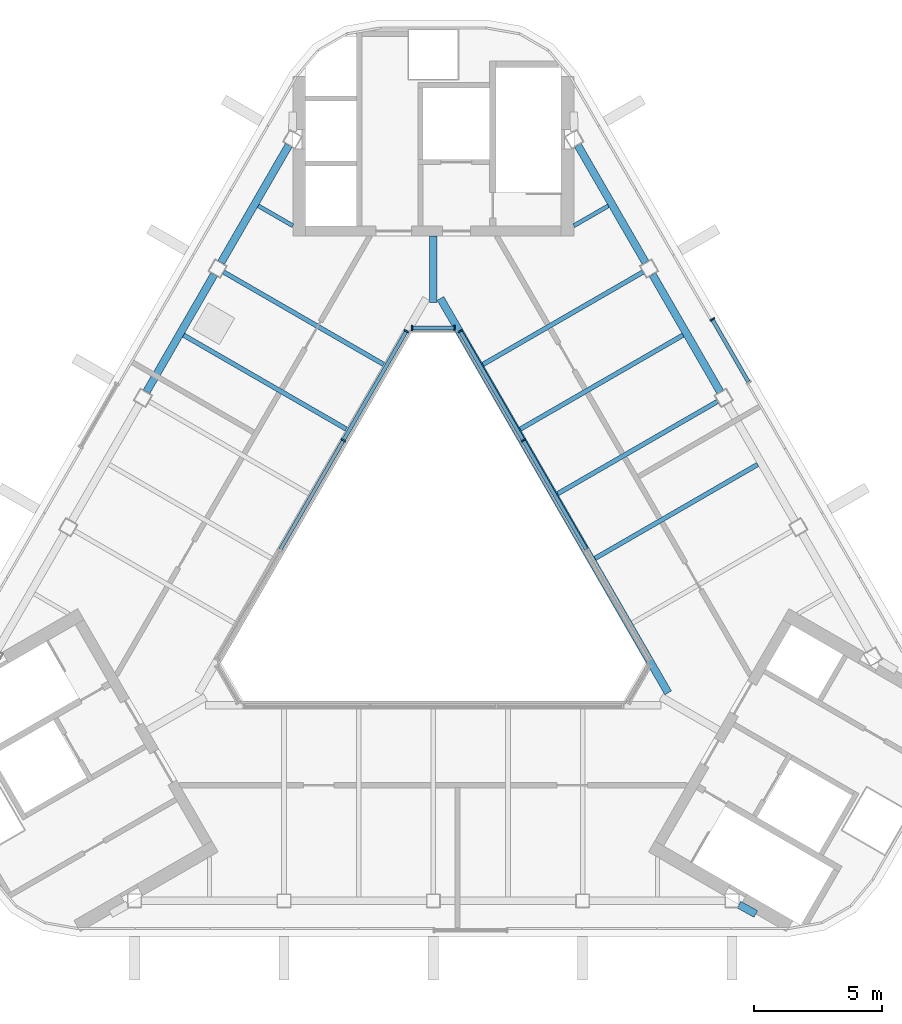
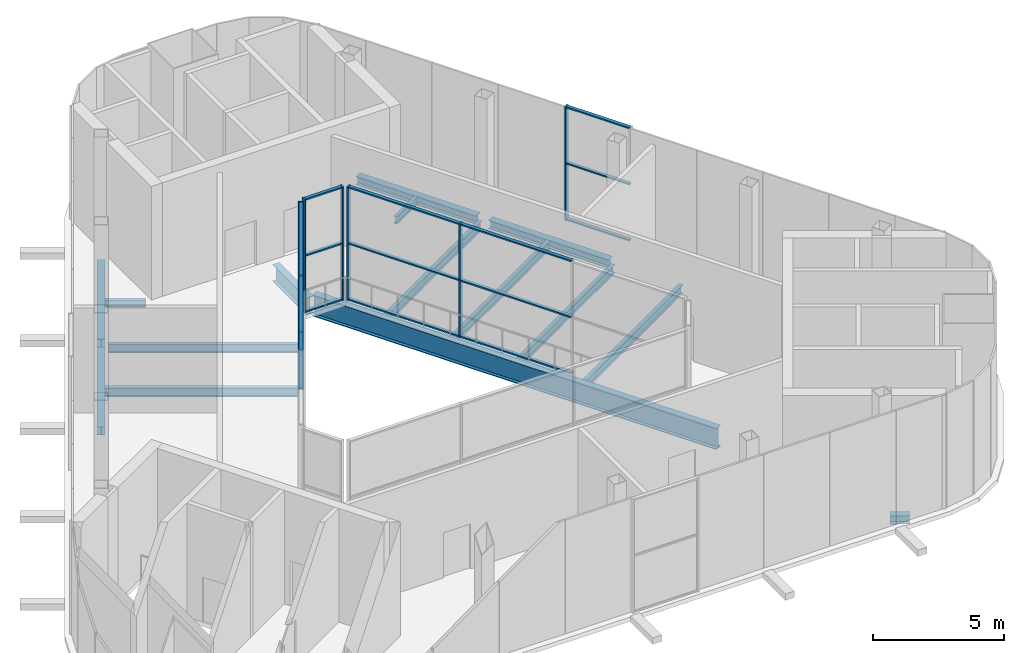
# One storey, part 3 of 9: 23 members, 15 beams, 4 elements without a shape of their own.
"""IFC4 building model written with IfcOpenShell, lengths in metres."""

from ifc_helpers import new_model, si_unit, direction, frame, origin, origin_2d, place, context, subcontext, project, spatial, rectangle, i_section, extrude, material, layer, layer_set, material_profile, profile_set, type_object, element, aggregate, save


model = new_model("IFC4")

# Units and contexts
model_context = context("Model", 3, precision=1e-05, world=origin(), true_north=direction((0.0, 1.0)))
body_context = subcontext(model_context, "Body", "Model", "MODEL_VIEW")
ifc_project = project(units=[si_unit("LENGTHUNIT", "METRE"), si_unit("AREAUNIT", "SQUARE_METRE"), si_unit("VOLUMEUNIT", "CUBIC_METRE"), si_unit("PLANEANGLEUNIT", "RADIAN"), si_unit("MASSUNIT", "GRAM", prefix="KILO")], contexts=[model_context])

# Site, building, storey
site_placement = place(None, origin())
site = spatial("IfcSite", under=ifc_project, at=site_placement, CompositionType="ELEMENT")
building_placement = place(site_placement, origin())
building = spatial("IfcBuilding", under=site, at=building_placement, Name="Apuvela Tower Hotel", CompositionType="ELEMENT")
storey_placement = place(building_placement, frame((0.0, 0.0, 343.300048828125)))
storey = spatial("IfcBuildingStorey", under=building, at=storey_placement, Name="R-1 ROOF", CompositionType="ELEMENT", Elevation=343.300048828125)

# Curtain wall, member
ifc_material_1 = material(Name="Aluminium 6063-T6, dark bronze anodised", Category="aluminium")
ifc_layer_1 = layer(ifc_material_1, 0.199951171875)
ifc_layer_set_1 = layer_set([ifc_layer_1], Name="ENV-CW-C")
curtain_wall_type_1 = type_object("IfcCurtainWallType", Name="ENV-CW-C", PredefinedType="NOTDEFINED", material=ifc_layer_set_1)
curtain_wall_1_placement = place(storey_placement, origin())
curtain_wall_1 = element("IfcCurtainWall", 1, at=curtain_wall_1_placement, inside=storey, type_object=curtain_wall_type_1, Name="Crown glazing 46 R-1 ROOF", PredefinedType="NOTDEFINED")
ifc_material_profile_1 = material_profile(ifc_material_1, rectangle(XDim=0.199951171875, YDim=0.06494140625, at=origin_2d()), Name="AL 65x200")
ifc_profile_set_1 = profile_set([ifc_material_profile_1], Name="Aluminium 6063-T6, dark bronze anodised")
member_type_1 = type_object("IfcMemberType", Name="ENV-MULLION-65x200", PredefinedType="MULLION", material=ifc_profile_set_1)
member_1_placement = place(storey_placement, frame((10.921142578125, 9.636474609375, 0.0), z_axis=(0.0, 0.0, 1.0), x_axis=(-0.866021760657, -0.500006310028, 0.0)))
member_1 = element("IfcMember", 2, at=member_1_placement, type_object=member_type_1, Name="CW-C mullion 2", PredefinedType="MULLION", context=body_context, shape_type="SweptSolid", body=[
    extrude(rectangle(XDim=0.199951171875, YDim=0.06494140625, at=origin_2d()), origin(), (0.0, 0.0, 1.0), 5.300048828125),
])

# Curtain wall, members
ifc_layer_2 = layer(ifc_material_1, 0.199951171875)
ifc_layer_set_2 = layer_set([ifc_layer_2], Name="ENV-CW-A")
curtain_wall_type_2 = type_object("IfcCurtainWallType", Name="ENV-CW-A", PredefinedType="NOTDEFINED", material=ifc_layer_set_2)
curtain_wall_2_placement = place(storey_placement, origin())
curtain_wall_2 = element("IfcCurtainWall", 3, at=curtain_wall_2_placement, inside=storey, type_object=curtain_wall_type_2, Name="Atrium glazing 1 R-1 ROOF", PredefinedType="NOTDEFINED")
member_2_placement = place(storey_placement, frame((0.83349609375, 9.300048828125, 0.0), z_axis=(0.0, 0.0, 1.0), x_axis=(0.0, -1.0, 0.0)))
member_2 = element("IfcMember", 4, at=member_2_placement, type_object=member_type_1, Name="CW-A mullion 1", PredefinedType="MULLION", context=body_context, shape_type="SweptSolid", body=[
    extrude(rectangle(XDim=0.199951171875, YDim=0.06494140625, at=origin_2d()), origin(), (0.0, 0.0, 1.0), 5.300048828125),
])
member_3_placement = place(storey_placement, frame((-0.83349609375, 9.300048828125, 0.0), z_axis=(0.0, 0.0, 1.0), x_axis=(0.0, -1.0, 0.0)))
member_3 = element("IfcMember", 5, at=member_3_placement, type_object=member_type_1, Name="CW-A mullion 2", PredefinedType="MULLION", context=body_context, shape_type="SweptSolid", body=[
    extrude(rectangle(XDim=0.199951171875, YDim=0.06494140625, at=origin_2d()), origin(), (0.0, 0.0, 1.0), 5.300048828125),
])

curtain_wall_3_placement = place(storey_placement, origin())
curtain_wall_3 = element("IfcCurtainWall", 6, at=curtain_wall_3_placement, inside=storey, type_object=curtain_wall_type_2, Name="Atrium glazing 2 R-1 ROOF", PredefinedType="NOTDEFINED")
member_4_placement = place(storey_placement, frame((-1.055419921875, 9.171875, 0.0), z_axis=(0.0, 0.0, 1.0), x_axis=(0.866025940778, -0.499999069899, 0.0)))
member_4 = element("IfcMember", 7, at=member_4_placement, type_object=member_type_1, Name="CW-A mullion 1", PredefinedType="MULLION", context=body_context, shape_type="SweptSolid", body=[
    extrude(rectangle(XDim=0.199951171875, YDim=0.06494140625, at=origin_2d()), origin(), (0.0, 0.0, 1.0), 5.300048828125),
])
member_5_placement = place(storey_placement, frame((-3.521728515625, 4.89990234375, 0.0), z_axis=(0.0, 0.0, 1.0), x_axis=(0.866025940778, -0.499999069899, 0.0)))
member_5 = element("IfcMember", 8, at=member_5_placement, type_object=member_type_1, Name="CW-A mullion 2", PredefinedType="MULLION", context=body_context, shape_type="SweptSolid", body=[
    extrude(rectangle(XDim=0.199951171875, YDim=0.06494140625, at=origin_2d()), origin(), (0.0, 0.0, 1.0), 5.300048828125),
])

curtain_wall_4_placement = place(storey_placement, origin())
curtain_wall_4 = element("IfcCurtainWall", 9, at=curtain_wall_4_placement, inside=storey, type_object=curtain_wall_type_2, Name="Atrium glazing 6 R-1 ROOF", PredefinedType="NOTDEFINED")
member_6_placement = place(storey_placement, frame((3.521728515625, 4.89990234375, 0.0), z_axis=(0.0, 0.0, 1.0), x_axis=(-0.866025940778, -0.499999069899, 0.0)))
member_6 = element("IfcMember", 10, at=member_6_placement, type_object=member_type_1, Name="CW-A mullion 3", PredefinedType="MULLION", context=body_context, shape_type="SweptSolid", body=[
    extrude(rectangle(XDim=0.199951171875, YDim=0.06494140625, at=origin_2d()), origin(), (0.0, 0.0, 1.0), 5.300048828125),
])
member_7_placement = place(storey_placement, frame((1.055419921875, 9.171875, 0.0), z_axis=(0.0, 0.0, 1.0), x_axis=(-0.866025940778, -0.499999069899, 0.0)))
member_7 = element("IfcMember", 11, at=member_7_placement, type_object=member_type_1, Name="CW-A mullion 4", PredefinedType="MULLION", context=body_context, shape_type="SweptSolid", body=[
    extrude(rectangle(XDim=0.199951171875, YDim=0.06494140625, at=origin_2d()), origin(), (0.0, 0.0, 1.0), 5.300048828125),
])

# Member
ifc_material_profile_2 = material_profile(ifc_material_1, rectangle(XDim=0.14990234375, YDim=0.06494140625, at=origin_2d()), Name="AL 65x150 transom")
ifc_profile_set_2 = profile_set([ifc_material_profile_2], Name="Aluminium 6063-T6, dark bronze anodised")
member_type_2 = type_object("IfcMemberType", Name="ENV-TRANSOM-65x150", PredefinedType="USERDEFINED", material=ifc_profile_set_2)
member_8_placement = place(storey_placement, frame((12.3310546875, 7.1943359375, 0.032470703125), z_axis=(-0.499944854726, 0.866057239582, 0.0), x_axis=(-0.866057239582, -0.499944854726, 0.0)))
member_8 = element("IfcMember", 12, at=member_8_placement, type_object=member_type_2, Name="CW-C transom 1.1", ObjectType="TRANSOM", PredefinedType="USERDEFINED", context=body_context, shape_type="SweptSolid", body=[
    extrude(rectangle(XDim=0.14990234375, YDim=0.06494140625, at=origin_2d()), origin(), (0.0, 0.0, 1.0), 2.787353515625),
])

member_9_placement = place(storey_placement, frame((12.3310546875, 7.1943359375, 2.64990234375), z_axis=(-0.499944854726, 0.866057239582, 0.0), x_axis=(-0.866057239582, -0.499944854726, 0.0)))
member_9 = element("IfcMember", 13, at=member_9_placement, type_object=member_type_2, Name="CW-C transom 1.2", ObjectType="TRANSOM", PredefinedType="USERDEFINED", context=body_context, shape_type="SweptSolid", body=[
    extrude(rectangle(XDim=0.14990234375, YDim=0.06494140625, at=origin_2d()), origin(), (0.0, 0.0, 1.0), 2.787353515625),
])

member_10_placement = place(storey_placement, frame((12.3310546875, 7.1943359375, 5.267333984375), z_axis=(-0.499944854726, 0.866057239582, 0.0), x_axis=(-0.866057239582, -0.499944854726, 0.0)))
member_10 = element("IfcMember", 14, at=member_10_placement, type_object=member_type_2, Name="CW-C transom 1.3", ObjectType="TRANSOM", PredefinedType="USERDEFINED", context=body_context, shape_type="SweptSolid", body=[
    extrude(rectangle(XDim=0.14990234375, YDim=0.06494140625, at=origin_2d()), origin(), (0.0, 0.0, 1.0), 2.787353515625),
])

aggregate(curtain_wall_1, [member_1, member_8, member_9, member_10])

member_11_placement = place(storey_placement, frame((0.801025390625, 9.300048828125, 0.032470703125), z_axis=(-1.0, 0.0, 0.0), x_axis=(0.0, -1.0, 0.0)))
member_11 = element("IfcMember", 15, at=member_11_placement, type_object=member_type_2, Name="CW-A transom 1.1", ObjectType="TRANSOM", PredefinedType="USERDEFINED", context=body_context, shape_type="SweptSolid", body=[
    extrude(rectangle(XDim=0.14990234375, YDim=0.06494140625, at=origin_2d()), origin(), (0.0, 0.0, 1.0), 1.60205078125),
])

member_12_placement = place(storey_placement, frame((0.801025390625, 9.300048828125, 2.64990234375), z_axis=(-1.0, 0.0, 0.0), x_axis=(0.0, -1.0, 0.0)))
member_12 = element("IfcMember", 16, at=member_12_placement, type_object=member_type_2, Name="CW-A transom 1.2", ObjectType="TRANSOM", PredefinedType="USERDEFINED", context=body_context, shape_type="SweptSolid", body=[
    extrude(rectangle(XDim=0.14990234375, YDim=0.06494140625, at=origin_2d()), origin(), (0.0, 0.0, 1.0), 1.60205078125),
])

member_13_placement = place(storey_placement, frame((0.801025390625, 9.300048828125, 5.267333984375), z_axis=(-1.0, 0.0, 0.0), x_axis=(0.0, -1.0, 0.0)))
member_13 = element("IfcMember", 17, at=member_13_placement, type_object=member_type_2, Name="CW-A transom 1.3", ObjectType="TRANSOM", PredefinedType="USERDEFINED", context=body_context, shape_type="SweptSolid", body=[
    extrude(rectangle(XDim=0.14990234375, YDim=0.06494140625, at=origin_2d()), origin(), (0.0, 0.0, 1.0), 1.60205078125),
])

aggregate(curtain_wall_2, [member_2, member_3, member_11, member_12, member_13])

member_14_placement = place(storey_placement, frame((-1.07177734375, 9.143798828125, 0.032470703125), z_axis=(-0.49999597136, -0.866027729709, 0.0), x_axis=(0.866027729709, -0.49999597136, 0.0)))
member_14 = element("IfcMember", 18, at=member_14_placement, type_object=member_type_2, Name="CW-A transom 1.1", ObjectType="TRANSOM", PredefinedType="USERDEFINED", context=body_context, shape_type="SweptSolid", body=[
    extrude(rectangle(XDim=0.14990234375, YDim=0.06494140625, at=origin_2d()), origin(), (0.0, 0.0, 1.0), 4.86767578125),
])

member_15_placement = place(storey_placement, frame((-1.07177734375, 9.143798828125, 2.64990234375), z_axis=(-0.49999597136, -0.866027729709, 0.0), x_axis=(0.866027729709, -0.49999597136, 0.0)))
member_15 = element("IfcMember", 19, at=member_15_placement, type_object=member_type_2, Name="CW-A transom 1.2", ObjectType="TRANSOM", PredefinedType="USERDEFINED", context=body_context, shape_type="SweptSolid", body=[
    extrude(rectangle(XDim=0.14990234375, YDim=0.06494140625, at=origin_2d()), origin(), (0.0, 0.0, 1.0), 4.86767578125),
])

member_16_placement = place(storey_placement, frame((-1.07177734375, 9.143798828125, 5.267333984375), z_axis=(-0.49999597136, -0.866027729709, 0.0), x_axis=(0.866027729709, -0.49999597136, 0.0)))
member_16 = element("IfcMember", 20, at=member_16_placement, type_object=member_type_2, Name="CW-A transom 1.3", ObjectType="TRANSOM", PredefinedType="USERDEFINED", context=body_context, shape_type="SweptSolid", body=[
    extrude(rectangle(XDim=0.14990234375, YDim=0.06494140625, at=origin_2d()), origin(), (0.0, 0.0, 1.0), 4.86767578125),
])

member_17_placement = place(storey_placement, frame((-3.5380859375, 4.871826171875, 5.267333984375), z_axis=(-0.49998122708, -0.866036242063, 0.0), x_axis=(0.866036242063, -0.49998122708, 0.0)))
member_17 = element("IfcMember", 21, at=member_17_placement, type_object=member_type_2, Name="CW-A transom 2.3", ObjectType="TRANSOM", PredefinedType="USERDEFINED", context=body_context, shape_type="SweptSolid", body=[
    extrude(rectangle(XDim=0.14990234375, YDim=0.06494140625, at=origin_2d()), origin(), (0.0, 0.0, 1.0), 4.900146484375),
])

aggregate(curtain_wall_3, [member_4, member_5, member_14, member_15, member_16, member_17])

member_18_placement = place(storey_placement, frame((5.988037109375, 0.628173828125, 0.032470703125), z_axis=(-0.49998122708, 0.866036242063, 0.0), x_axis=(-0.866036242063, -0.49998122708, 0.0)))
member_18 = element("IfcMember", 22, at=member_18_placement, type_object=member_type_2, Name="CW-A transom 2.1", ObjectType="TRANSOM", PredefinedType="USERDEFINED", context=body_context, shape_type="SweptSolid", body=[
    extrude(rectangle(XDim=0.14990234375, YDim=0.06494140625, at=origin_2d()), origin(), (0.0, 0.0, 1.0), 4.900146484375),
])

member_19_placement = place(storey_placement, frame((5.988037109375, 0.628173828125, 2.64990234375), z_axis=(-0.49998122708, 0.866036242063, 0.0), x_axis=(-0.866036242063, -0.49998122708, 0.0)))
member_19 = element("IfcMember", 23, at=member_19_placement, type_object=member_type_2, Name="CW-A transom 2.2", ObjectType="TRANSOM", PredefinedType="USERDEFINED", context=body_context, shape_type="SweptSolid", body=[
    extrude(rectangle(XDim=0.14990234375, YDim=0.06494140625, at=origin_2d()), origin(), (0.0, 0.0, 1.0), 4.900146484375),
])

member_20_placement = place(storey_placement, frame((5.988037109375, 0.628173828125, 5.267333984375), z_axis=(-0.49998122708, 0.866036242063, 0.0), x_axis=(-0.866036242063, -0.49998122708, 0.0)))
member_20 = element("IfcMember", 24, at=member_20_placement, type_object=member_type_2, Name="CW-A transom 2.3", ObjectType="TRANSOM", PredefinedType="USERDEFINED", context=body_context, shape_type="SweptSolid", body=[
    extrude(rectangle(XDim=0.14990234375, YDim=0.06494140625, at=origin_2d()), origin(), (0.0, 0.0, 1.0), 4.900146484375),
])

member_21_placement = place(storey_placement, frame((3.505615234375, 4.92822265625, 0.032470703125), z_axis=(-0.49999597136, 0.866027729709, 0.0), x_axis=(-0.866027729709, -0.49999597136, 0.0)))
member_21 = element("IfcMember", 25, at=member_21_placement, type_object=member_type_2, Name="CW-A transom 3.1", ObjectType="TRANSOM", PredefinedType="USERDEFINED", context=body_context, shape_type="SweptSolid", body=[
    extrude(rectangle(XDim=0.14990234375, YDim=0.06494140625, at=origin_2d()), origin(), (0.0, 0.0, 1.0), 4.86767578125),
])

member_22_placement = place(storey_placement, frame((3.505615234375, 4.92822265625, 2.64990234375), z_axis=(-0.49999597136, 0.866027729709, 0.0), x_axis=(-0.866027729709, -0.49999597136, 0.0)))
member_22 = element("IfcMember", 26, at=member_22_placement, type_object=member_type_2, Name="CW-A transom 3.2", ObjectType="TRANSOM", PredefinedType="USERDEFINED", context=body_context, shape_type="SweptSolid", body=[
    extrude(rectangle(XDim=0.14990234375, YDim=0.06494140625, at=origin_2d()), origin(), (0.0, 0.0, 1.0), 4.86767578125),
])

member_23_placement = place(storey_placement, frame((3.505615234375, 4.92822265625, 5.267333984375), z_axis=(-0.49999597136, 0.866027729709, 0.0), x_axis=(-0.866027729709, -0.49999597136, 0.0)))
member_23 = element("IfcMember", 27, at=member_23_placement, type_object=member_type_2, Name="CW-A transom 3.3", ObjectType="TRANSOM", PredefinedType="USERDEFINED", context=body_context, shape_type="SweptSolid", body=[
    extrude(rectangle(XDim=0.14990234375, YDim=0.06494140625, at=origin_2d()), origin(), (0.0, 0.0, 1.0), 4.86767578125),
])

aggregate(curtain_wall_4, [member_6, member_7, member_18, member_19, member_20, member_21, member_22, member_23])

# Beams
ifc_material_2 = material(Name="Steel S355", Category="steel")
ifc_material_profile_3 = material_profile(ifc_material_2, i_section(OverallWidth=0.159912109375, OverallDepth=0.330078125, WebThickness=0.007568359375, FlangeThickness=0.011474609375, at=origin_2d()), Name="IPE 330")
ifc_profile_set_3 = profile_set([ifc_material_profile_3], Name="Steel S355")
beam_type_1 = type_object("IfcBeamType", Name="STR-B floor beam IPE 330", PredefinedType="BEAM", material=ifc_profile_set_3)
for number, where, z_axis, x_axis, name in (
    (28, (6.853271484375, 14.082275390625, -0.364990234375), (-0.866042488821, -0.49997040668, 0.0), (0.49997040668, -0.866042488821, 0.0), "Floor beam B1 NE8"),
    (29, (-6.853271484375, 14.082275390625, -0.364990234375), (0.866042488821, -0.49997040668, 0.0), (0.49997040668, 0.866042488821, 0.0), "Floor beam B1 NW2"),
):
    element("IfcBeam", number, at=place(storey_placement, frame(where, z_axis=z_axis, x_axis=x_axis)), inside=storey, type_object=beam_type_1, Name=name, PredefinedType="BEAM", context=body_context, shape_type="SweptSolid", body=[
        extrude(i_section(OverallWidth=0.159912109375, OverallDepth=0.330078125, WebThickness=0.007568359375, FlangeThickness=0.011474609375, at=origin_2d()), origin(), (0.0, 0.0, 1.0), 1.5625),
    ])
ifc_material_profile_4 = material_profile(ifc_material_2, i_section(OverallWidth=0.179931640625, OverallDepth=0.39990234375, WebThickness=0.008544921875, FlangeThickness=0.013427734375, at=origin_2d()), Name="IPE 400")
ifc_profile_set_4 = profile_set([ifc_material_profile_4], Name="Steel S355")
beam_type_2 = type_object("IfcBeamType", Name="STR-B floor beam IPE 400", PredefinedType="BEAM", material=ifc_profile_set_4)
beam_1_placement = place(storey_placement, frame((12.69921875, 3.956787109375, -0.400146484375), z_axis=(-0.866016463813, -0.500015484165, 0.0), x_axis=(0.500015484165, -0.866016463813, 0.0)))
element("IfcBeam", 30, at=beam_1_placement, inside=storey, type_object=beam_type_2, Name="Floor beam B2 NE4", PredefinedType="BEAM", context=body_context, shape_type="SweptSolid", body=[
    extrude(i_section(OverallWidth=0.179931640625, OverallDepth=0.39990234375, WebThickness=0.008544921875, FlangeThickness=0.013427734375, at=origin_2d()), origin(), (0.0, 0.0, 1.0), 7.356201171875),
])
beam_2_placement = place(storey_placement, frame((11.12939453125, 6.425537109375, -0.400146484375), z_axis=(-0.866025906777, -0.49999912879, 0.0), x_axis=(0.49999912879, -0.866025906777, 0.0)))
element("IfcBeam", 31, at=beam_2_placement, inside=storey, type_object=beam_type_2, Name="Floor beam B2 NE5", PredefinedType="BEAM", context=body_context, shape_type="SweptSolid", body=[
    extrude(i_section(OverallWidth=0.179931640625, OverallDepth=0.39990234375, WebThickness=0.008544921875, FlangeThickness=0.013427734375, at=origin_2d()), origin(), (0.0, 0.0, 1.0), 7.23095703125),
])
beam_3_placement = place(storey_placement, frame((9.776123046875, 9.01953125, -0.400146484375), z_axis=(-0.866016463813, -0.500015484165, 0.0), x_axis=(0.500015484165, -0.866016463813, 0.0)))
element("IfcBeam", 32, at=beam_3_placement, inside=storey, type_object=beam_type_2, Name="Floor beam B2 NE6", PredefinedType="BEAM", context=body_context, shape_type="SweptSolid", body=[
    extrude(i_section(OverallWidth=0.179931640625, OverallDepth=0.39990234375, WebThickness=0.008544921875, FlangeThickness=0.013427734375, at=origin_2d()), origin(), (0.0, 0.0, 1.0), 7.356201171875),
])
for number, where, z_axis, x_axis, name in (
    (33, (8.20654296875, 11.48828125, -0.400146484375), (-0.866034347176, -0.499984509272, 0.0), (0.499984509272, -0.866034347176, 0.0), "Floor beam B2 NE7"),
    (34, (-8.20654296875, 11.48828125, -0.400146484375), (0.866034347176, -0.499984509272, 0.0), (0.499984509272, 0.866034347176, 0.0), "Floor beam B2 NW3"),
):
    element("IfcBeam", number, at=place(storey_placement, frame(where, z_axis=z_axis, x_axis=x_axis)), inside=storey, type_object=beam_type_2, Name=name, PredefinedType="BEAM", context=body_context, shape_type="SweptSolid", body=[
        extrude(i_section(OverallWidth=0.179931640625, OverallDepth=0.39990234375, WebThickness=0.008544921875, FlangeThickness=0.013427734375, at=origin_2d()), origin(), (0.0, 0.0, 1.0), 7.231201171875),
    ])
beam_4_placement = place(storey_placement, frame((-9.776123046875, 9.01953125, -0.400146484375), z_axis=(0.866016463813, -0.500015484165, 0.0), x_axis=(0.500015484165, 0.866016463813, 0.0)))
element("IfcBeam", 35, at=beam_4_placement, inside=storey, type_object=beam_type_2, Name="Floor beam B2 NW4", PredefinedType="BEAM", context=body_context, shape_type="SweptSolid", body=[
    extrude(i_section(OverallWidth=0.179931640625, OverallDepth=0.39990234375, WebThickness=0.008544921875, FlangeThickness=0.013427734375, at=origin_2d()), origin(), (0.0, 0.0, 1.0), 7.356201171875),
])
ifc_material_profile_5 = material_profile(ifc_material_2, i_section(OverallWidth=0.300048828125, OverallDepth=0.989990234375, WebThickness=0.0166015625, FlangeThickness=0.031005859375, at=origin_2d()), Name="HE 1000 A")
ifc_profile_set_5 = profile_set([ifc_material_profile_5], Name="Steel S355")
beam_type_3 = type_object("IfcBeamType", Name="STR-G atrium ring girder HE 1000 A", PredefinedType="BEAM", material=ifc_profile_set_5)
beam_5_placement = place(storey_placement, frame((9.1943359375, -4.985107421875, -0.695068359375), z_axis=(-0.500006541319, 0.866021627119, 0.0), x_axis=(-0.866021627119, -0.500006541319, 0.0)))
element("IfcBeam", 36, at=beam_5_placement, inside=storey, type_object=beam_type_3, Name="Atrium ring girder G3 SE-N", PredefinedType="BEAM", context=body_context, shape_type="SweptSolid", body=[
    extrude(i_section(OverallWidth=0.300048828125, OverallDepth=0.989990234375, WebThickness=0.0166015625, FlangeThickness=0.031005859375, at=origin_2d()), origin(), (0.0, 0.0, 1.0), 17.828857421875),
])
ifc_material_profile_6 = material_profile(ifc_material_2, i_section(OverallWidth=0.300048828125, OverallDepth=0.800048828125, WebThickness=0.017578125, FlangeThickness=0.032958984375, at=origin_2d()), Name="HE 800 B")
ifc_profile_set_6 = profile_set([ifc_material_profile_6], Name="Steel S355")
beam_type_4 = type_object("IfcBeamType", Name="STR-GT core tie beam HE 800 B", PredefinedType="BEAM", material=ifc_profile_set_6)
beam_6_placement = place(storey_placement, frame((0.0, 12.89990234375, -0.60009765625), z_axis=(0.0, -1.0, 0.0), x_axis=(1.0, 0.0, 0.0)))
element("IfcBeam", 37, at=beam_6_placement, inside=storey, type_object=beam_type_4, Name="Core tie beam GT1 N", PredefinedType="BEAM", context=body_context, shape_type="SweptSolid", body=[
    extrude(i_section(OverallWidth=0.300048828125, OverallDepth=0.800048828125, WebThickness=0.017578125, FlangeThickness=0.032958984375, at=origin_2d()), origin(), (0.0, 0.0, 1.0), 2.599853515625),
])
ifc_material_profile_7 = material_profile(ifc_material_2, i_section(OverallWidth=0.300048828125, OverallDepth=0.389892578125, WebThickness=0.010986328125, FlangeThickness=0.01904296875, at=origin_2d()), Name="HE 400 A")
ifc_profile_set_7 = profile_set([ifc_material_profile_7], Name="Steel S355")
beam_type_5 = type_object("IfcBeamType", Name="STR-SB spandrel beam HE 400 A", PredefinedType="SPANDREL", material=ifc_profile_set_7)
for number, where, z_axis, x_axis, name in (
    (38, (11.22998046875, 6.80126953125, -0.39501953125), (-0.499996467947, 0.866027443007, 0.0), (-0.866027443007, -0.499996467947, 0.0), "Spandrel beam SB4 NE3"),
    (39, (8.30712890625, 11.864013671875, -0.39501953125), (-0.499996467947, 0.866027443007, 0.0), (-0.866027443007, -0.499996467947, 0.0), "Spandrel beam SB4 NE4"),
    (40, (-5.6591796875, 16.450439453125, -0.39501953125), (-0.499996467947, -0.866027443007, 0.0), (0.866027443007, -0.499996467947, 0.0), "Spandrel beam SB4 NW1"),
    (41, (-8.58203125, 11.3876953125, -0.39501953125), (-0.499996467947, -0.866027443007, 0.0), (0.866027443007, -0.499996467947, 0.0), "Spandrel beam SB4 NW2"),
):
    element("IfcBeam", number, at=place(storey_placement, frame(where, z_axis=z_axis, x_axis=x_axis)), inside=storey, type_object=beam_type_5, Name=name, PredefinedType="SPANDREL", context=body_context, shape_type="SweptSolid", body=[
        extrude(i_section(OverallWidth=0.300048828125, OverallDepth=0.389892578125, WebThickness=0.010986328125, FlangeThickness=0.01904296875, at=origin_2d()), origin(), (0.0, 0.0, 1.0), 5.2958984375),
    ])
beam_7_placement = place(storey_placement, frame((11.967041015625, -13.277587890625, -0.39501953125), z_axis=(0.875908078842, -0.482478017551, 0.0), x_axis=(0.482478017551, 0.875908078842, 0.0)))
element("IfcBeam", 42, at=beam_7_placement, inside=storey, type_object=beam_type_5, Name="Spandrel beam SB4 S5-SE", PredefinedType="SPANDREL", context=body_context, shape_type="SweptSolid", body=[
    extrude(i_section(OverallWidth=0.300048828125, OverallDepth=0.389892578125, WebThickness=0.010986328125, FlangeThickness=0.01904296875, at=origin_2d()), origin(), (0.0, 0.0, 1.0), 0.75390625),
])

save(model, "model.ifc")
